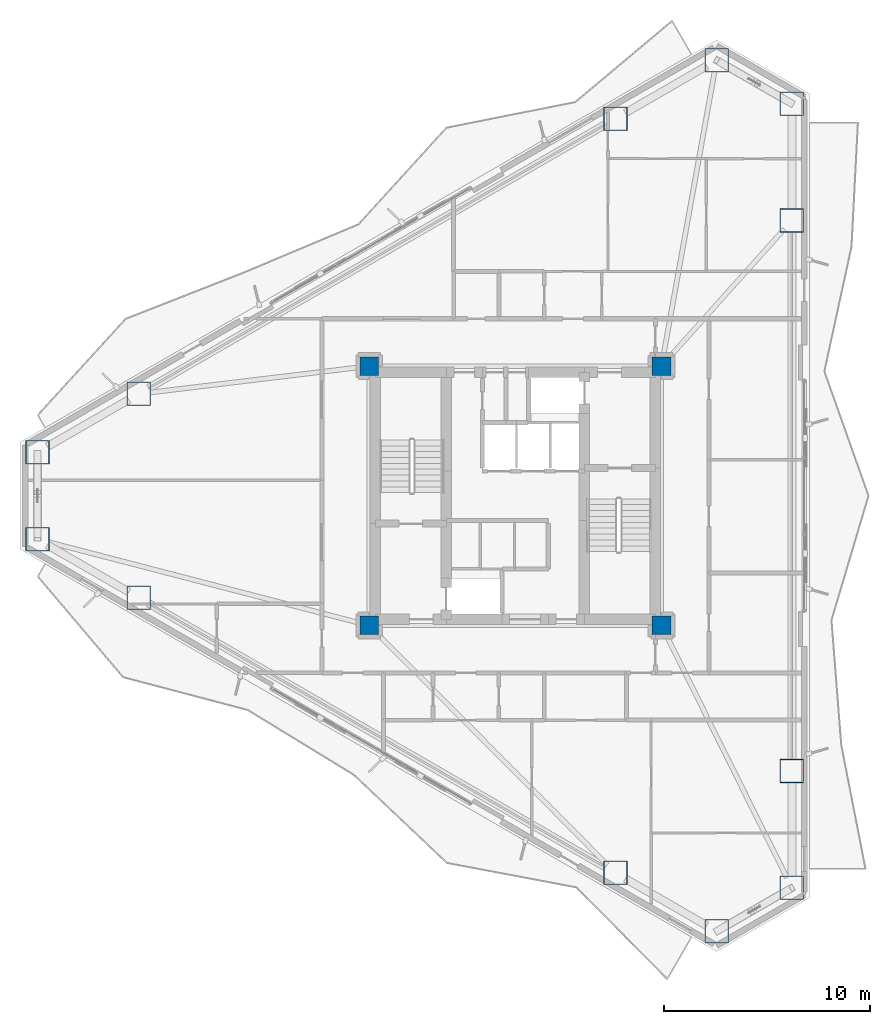
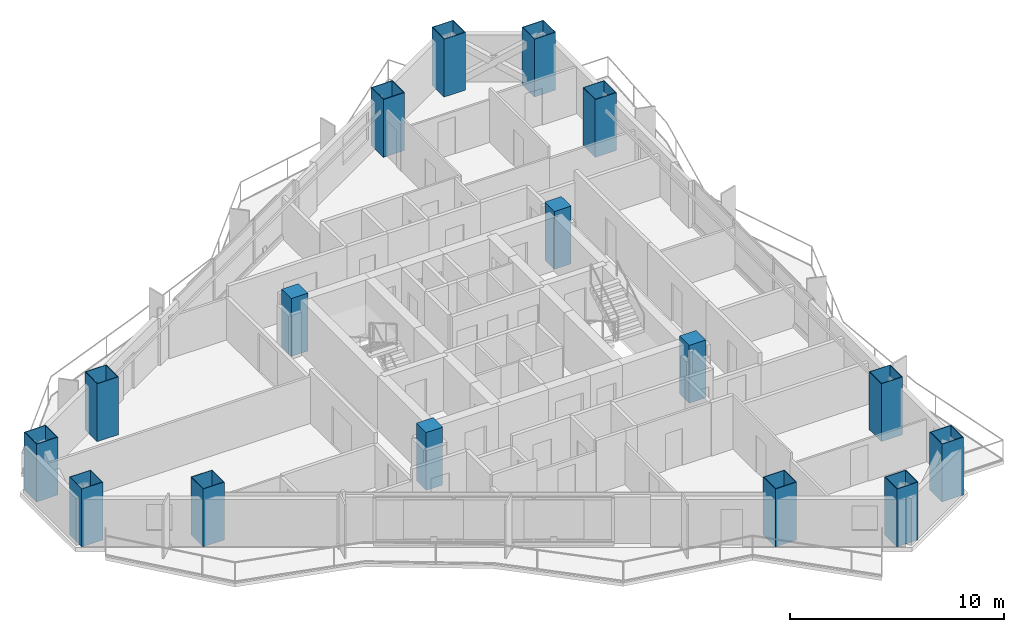
# One storey, part 1 of 22: 16 columns.
"""IFC4 building model written with IfcOpenShell, lengths in metres."""

from ifc_helpers import new_model, si_unit, direction, frame, origin, origin_2d, place, context, subcontext, project, spatial, rectangle, hollow_rectangle, extrude, material, material_profile, profile_set, type_object, element, save


model = new_model("IFC4")

# Units and contexts
model_context = context("Model", 3, precision=1e-05, world=origin(), true_north=direction((0.0, 1.0)))
body_context = subcontext(model_context, "Body", "Model", "MODEL_VIEW")
ifc_project = project(units=[si_unit("LENGTHUNIT", "METRE"), si_unit("AREAUNIT", "SQUARE_METRE"), si_unit("VOLUMEUNIT", "CUBIC_METRE"), si_unit("PLANEANGLEUNIT", "RADIAN"), si_unit("MASSUNIT", "GRAM", prefix="KILO")], contexts=[model_context])

# Site, building, storey
site_placement = place(None, origin())
site = spatial("IfcSite", under=ifc_project, at=site_placement, CompositionType="ELEMENT")
building_placement = place(site_placement, origin())
building = spatial("IfcBuilding", under=site, at=building_placement, Name="Mersakhor Tower and Convention Hall", CompositionType="ELEMENT")
storey_placement = place(building_placement, frame((0.0, 0.0, 83.39990234375)))
storey = spatial("IfcBuildingStorey", under=building, at=storey_placement, Name="L22", CompositionType="ELEMENT", Elevation=83.39990234375)

# Columns
ifc_material_1 = material(Name="Concrete C60/75 in S460M steel box", Category="concrete")
ifc_material_profile_1 = material_profile(ifc_material_1, hollow_rectangle(XDim=1.14990234375, YDim=1.14990234375, WallThickness=0.031982421875, at=origin_2d()), Name="SHS 1150x1150x32")
ifc_profile_set_1 = profile_set([ifc_material_profile_1], Name="Concrete C60/75 in S460M steel box")
column_type_1 = type_object("IfcColumnType", Name="COL-CFT-1150", PredefinedType="COLUMN", material=ifc_profile_set_1)
for number, where, z_axis, x_axis, name in (
    (1, (5.78662109375, 28.86083984375, 0.0), (0.0, 0.0, 1.0), (1.0, 0.0, 0.0), "L22 Perimeter Mega-Column MC-01"),
    (2, (10.702392578125, 31.698974609375, 0.0), (0.0, 0.0, 1.0), (1.0, 0.0, 0.0), "L22 Perimeter Mega-Column MC-02"),
    (3, (33.86279296875, 45.070556640625, 0.0), (0.0, 0.0, 1.0), (1.0, 0.0, 0.0), "L22 Perimeter Mega-Column MC-03"),
    (4, (38.77880859375, 47.90869140625, 0.0), (0.0, 0.0, 1.0), (1.0, 0.0, 0.0), "L22 Perimeter Mega-Column MC-04"),
    (5, (42.4345703125, 45.798095703125, 0.0), (0.0, 0.0, 1.0), (1.0, 0.0, 0.0), "L22 Perimeter Mega-Column MC-05"),
    (6, (42.4345703125, 40.12158203125, 0.0), (0.0, 0.0, 1.0), (1.0, 0.0, 0.0), "L22 Perimeter Mega-Column MC-06"),
    (7, (42.4345703125, 13.37841796875, 0.0), (0.0, 0.0, 1.0), (1.0, 0.0, 0.0), "L22 Perimeter Mega-Column MC-07"),
    (8, (42.4345703125, 7.701904296875, 0.0), (0.0, 0.0, 1.0), (1.0, 0.0, 0.0), "L22 Perimeter Mega-Column MC-08"),
    (9, (38.77880859375, 5.59130859375, 0.0), (0.0, 0.0, 1.0), (1.0, 0.0, 0.0), "L22 Perimeter Mega-Column MC-09"),
    (10, (33.86279296875, 8.429443359375, 0.0), (0.0, 0.0, 1.0), (1.0, 0.0, 0.0), "L22 Perimeter Mega-Column MC-10"),
    (11, (10.702392578125, 21.801025390625, 0.0), (0.0, 0.0, 1.0), (1.0, 0.0, 0.0), "L22 Perimeter Mega-Column MC-11"),
    (12, (5.78662109375, 24.63916015625, 0.0), (0.0, 0.0, 1.0), (1.0, 0.0, 0.0), "L22 Perimeter Mega-Column MC-12"),
):
    element("IfcColumn", number, at=place(storey_placement, frame(where, z_axis=z_axis, x_axis=x_axis)), inside=storey, type_object=column_type_1, Name=name, PredefinedType="COLUMN", context=body_context, shape_type="SweptSolid", body=[
        extrude(hollow_rectangle(XDim=1.14990234375, YDim=1.14990234375, WallThickness=0.031982421875, at=origin_2d()), origin(), (0.0, 0.0, 1.0), 3.300048828125),
    ])
ifc_material_2 = material(Name="Concrete C60/75", Category="concrete")
ifc_material_profile_2 = material_profile(ifc_material_2, rectangle(XDim=0.89990234375, YDim=0.89990234375, at=origin_2d()), Name="RC 900x900")
ifc_profile_set_2 = profile_set([ifc_material_profile_2], Name="Concrete C60/75")
column_type_2 = type_object("IfcColumnType", Name="COL-RC-900", PredefinedType="COLUMN", material=ifc_profile_set_2)
for number, where, z_axis, x_axis, name in (
    (13, (21.89990234375, 20.449951171875, 0.0), (0.0, 0.0, 1.0), (1.0, 0.0, 0.0), "L22 Core Corner Column CC-1"),
    (14, (21.89990234375, 33.050048828125, 0.0), (0.0, 0.0, 1.0), (1.0, 0.0, 0.0), "L22 Core Corner Column CC-2"),
    (15, (36.10009765625, 33.050048828125, 0.0), (0.0, 0.0, 1.0), (1.0, 0.0, 0.0), "L22 Core Corner Column CC-3"),
    (16, (36.10009765625, 20.449951171875, 0.0), (0.0, 0.0, 1.0), (1.0, 0.0, 0.0), "L22 Core Corner Column CC-4"),
):
    element("IfcColumn", number, at=place(storey_placement, frame(where, z_axis=z_axis, x_axis=x_axis)), inside=storey, type_object=column_type_2, Name=name, PredefinedType="COLUMN", context=body_context, shape_type="SweptSolid", body=[
        extrude(rectangle(XDim=0.89990234375, YDim=0.89990234375, at=origin_2d()), origin(), (0.0, 0.0, 1.0), 3.300048828125),
    ])

save(model, "model.ifc")
